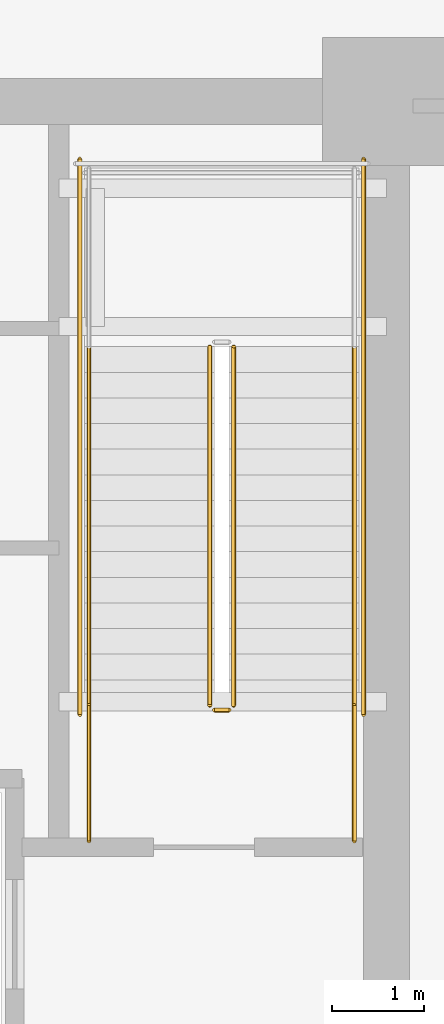
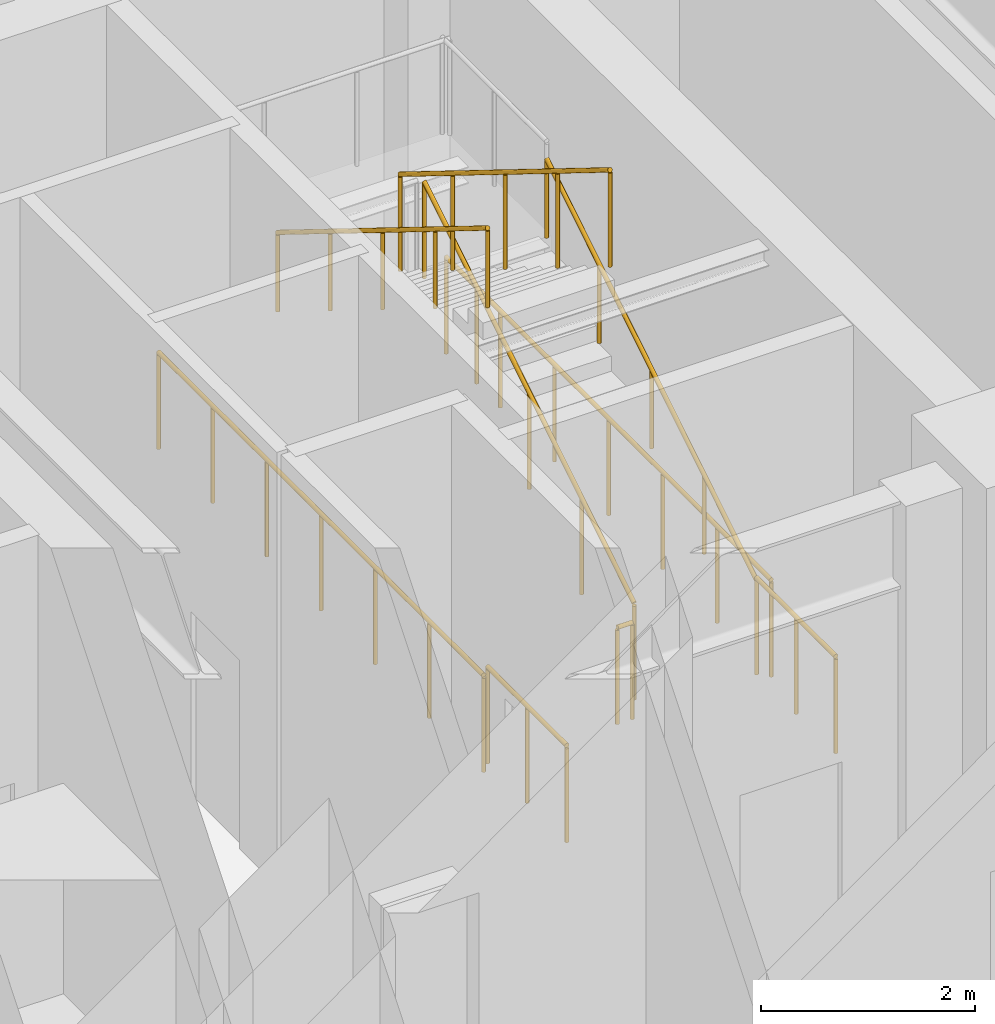
# One storey, part 10 of 15: 9 railings.
"""IFC4 building model written with IfcOpenShell, lengths in metres."""

from ifc_helpers import new_model, si_unit, direction, frame, origin, origin_2d, place, context, subcontext, project, spatial, circle, extrude, material, layer, layer_set, type_object, element, save


model = new_model("IFC4")

# Units and contexts
model_context = context("Model", 3, precision=1e-05, world=origin(), true_north=direction((0.0, 1.0)))
body_context = subcontext(model_context, "Body", "Model", "MODEL_VIEW")
ifc_project = project(units=[si_unit("LENGTHUNIT", "METRE"), si_unit("AREAUNIT", "SQUARE_METRE"), si_unit("VOLUMEUNIT", "CUBIC_METRE"), si_unit("PLANEANGLEUNIT", "RADIAN"), si_unit("MASSUNIT", "GRAM", prefix="KILO")], contexts=[model_context])

# Site, building, storey
site_placement = place(None, origin())
site = spatial("IfcSite", under=ifc_project, at=site_placement, CompositionType="ELEMENT")
building_placement = place(site_placement, origin())
building = spatial("IfcBuilding", under=site, at=building_placement, Name="Yelkora Congress Tower", CompositionType="ELEMENT")
storey_placement = place(building_placement, origin())
storey = spatial("IfcBuildingStorey", under=building, at=storey_placement, Name="L00", CompositionType="ELEMENT", Elevation=0.0)

# Railings
ifc_material_1 = material(Name="Painted galvanised steel stair well guard with vertical infill", Category="steel")
ifc_layer_1 = layer(ifc_material_1, 0.06005859375)
ifc_layer_set_1 = layer_set([ifc_layer_1], Name="Painted galvanised steel stair well guard with vertical infill")
railing_type_1 = type_object("IfcRailingType", Name="RAIL-STAIR-GUARD-1120", PredefinedType="GUARDRAIL", material=ifc_layer_set_1)
railing_1_placement = place(storey_placement, frame((52.090087890625, 39.60009765625, 0.17333984375)))
element("IfcRailing", 1, at=railing_1_placement, inside=storey, type_object=railing_type_1, Name="ST-02 L00 Stair Well Guardrail 1", PredefinedType="GUARDRAIL", context=body_context, shape_type="SweptSolid", body=[
    extrude(circle(Radius=0.02392578125, at=origin_2d()), frame((0.0, 0.0, 1.09619140625), z_axis=(0.0, 0.850251603719, 0.526376491091), x_axis=(-1.0, 0.0, 0.0)), (0.0, 0.0, 1.0), 4.6103515625),
    extrude(circle(Radius=0.02099609375, at=origin_2d()), origin(), (0.0, 0.0, 1.0), 1.072021484375),
    extrude(circle(Radius=0.02099609375, at=origin_2d()), frame((0.0, 0.97998046875, 0.606689453125)), (0.0, 0.0, 1.0), 1.072021484375),
    extrude(circle(Radius=0.02099609375, at=origin_2d()), frame((0.0, 1.9599609375, 1.21337890625)), (0.0, 0.0, 1.0), 1.072021484375),
    extrude(circle(Radius=0.02099609375, at=origin_2d()), frame((0.0, 2.93994140625, 1.820068359375)), (0.0, 0.0, 1.0), 1.072021484375),
    extrude(circle(Radius=0.02099609375, at=origin_2d()), frame((0.0, 3.919921875, 2.4267578125)), (0.0, 0.0, 1.0), 1.072021484375),
])
railing_2_placement = place(storey_placement, frame((51.830078125, 43.52001953125, 2.7734375)))
element("IfcRailing", 2, at=railing_2_placement, inside=storey, type_object=railing_type_1, Name="ST-02 L00 Stair Well Guardrail 6", PredefinedType="GUARDRAIL", context=body_context, shape_type="SweptSolid", body=[
    extrude(circle(Radius=0.02392578125, at=origin_2d()), frame((0.0, 0.0, 1.09619140625), z_axis=(0.0, -0.850275303828, 0.526338206574), x_axis=(1.0, 0.0, 0.0)), (0.0, 0.0, 1.0), 4.610107421875),
    extrude(circle(Radius=0.02099609375, at=origin_2d()), origin(), (0.0, 0.0, 1.0), 1.072021484375),
    extrude(circle(Radius=0.02099609375, at=origin_2d()), frame((0.0, -0.97998046875, 0.606689453125)), (0.0, 0.0, 1.0), 1.072021484375),
    extrude(circle(Radius=0.02099609375, at=origin_2d()), frame((0.0, -1.9599609375, 1.21337890625)), (0.0, 0.0, 1.0), 1.072021484375),
    extrude(circle(Radius=0.02099609375, at=origin_2d()), frame((0.0, -2.93994140625, 1.81982421875)), (0.0, 0.0, 1.0), 1.072021484375),
    extrude(circle(Radius=0.02099609375, at=origin_2d()), frame((0.0, -3.919921875, 2.426513671875)), (0.0, 0.0, 1.0), 1.072021484375),
])
railing_3_placement = place(storey_placement, frame((52.0400390625, 39.550048828125, 0.0)))
element("IfcRailing", 3, at=railing_3_placement, inside=storey, type_object=railing_type_1, Name="ST-02 L00 Stair Well Guardrail 7", PredefinedType="GUARDRAIL", context=body_context, shape_type="SweptSolid", body=[
    extrude(circle(Radius=0.02392578125, at=origin_2d()), frame((0.0, 0.0, 1.09619140625), z_axis=(-1.0, 0.0, 0.0), x_axis=(0.0, -1.0, 0.0)), (0.0, 0.0, 1.0), 0.16015625),
    extrude(circle(Radius=0.02099609375, at=origin_2d()), origin(), (0.0, 0.0, 1.0), 1.072021484375),
    extrude(circle(Radius=0.02099609375, at=origin_2d()), frame((-0.16015625, 0.0, 0.0)), (0.0, 0.0, 1.0), 1.072021484375),
])
for number, where, name in (
    (4, (53.409912109375, 38.1201171875, 0.0), "ST-02 L00 Stair Well Guardrail 8"),
    (5, (50.510009765625, 38.1201171875, 0.0), "ST-02 L00 Stair Well Guardrail 9"),
):
    element("IfcRailing", number, at=place(storey_placement, frame(where)), inside=storey, type_object=railing_type_1, Name=name, PredefinedType="GUARDRAIL", context=body_context, shape_type="SweptSolid", body=[
        extrude(circle(Radius=0.02392578125, at=origin_2d()), frame((0.0, 0.0, 1.09619140625), z_axis=(0.0, 1.0, 0.0), x_axis=(-1.0, 0.0, 0.0)), (0.0, 0.0, 1.0), 1.47998046875),
        extrude(circle(Radius=0.02099609375, at=origin_2d()), origin(), (0.0, 0.0, 1.0), 1.072021484375),
        extrude(circle(Radius=0.02099609375, at=origin_2d()), frame((0.0, 0.739990234375, 0.0)), (0.0, 0.0, 1.0), 1.072021484375),
        extrude(circle(Radius=0.02099609375, at=origin_2d()), frame((0.0, 1.47998046875, 0.0)), (0.0, 0.0, 1.0), 1.072021484375),
    ])
for number, where, name in (
    (6, (53.510009765625, 39.5, 0.0), "ST-02 L00 Stair Well Guardrail 10"),
    (7, (50.409912109375, 39.5, 0.0), "ST-02 L00 Stair Well Guardrail 11"),
):
    element("IfcRailing", number, at=place(storey_placement, frame(where)), inside=storey, type_object=railing_type_1, Name=name, PredefinedType="GUARDRAIL", context=body_context, shape_type="SweptSolid", body=[
        extrude(circle(Radius=0.02392578125, at=origin_2d()), frame((0.0, 0.0, 1.09619140625), z_axis=(0.0, 1.0, 0.0), x_axis=(-1.0, 0.0, 0.0)), (0.0, 0.0, 1.0), 6.070068359375),
        extrude(circle(Radius=0.02099609375, at=origin_2d()), origin(), (0.0, 0.0, 1.0), 1.072021484375),
        extrude(circle(Radius=0.02099609375, at=origin_2d()), frame((0.0, 1.01171875, 0.0)), (0.0, 0.0, 1.0), 1.072021484375),
        extrude(circle(Radius=0.02099609375, at=origin_2d()), frame((0.0, 2.0234375, 0.0)), (0.0, 0.0, 1.0), 1.072021484375),
        extrude(circle(Radius=0.02099609375, at=origin_2d()), frame((0.0, 3.03515625, 0.0)), (0.0, 0.0, 1.0), 1.072021484375),
        extrude(circle(Radius=0.02099609375, at=origin_2d()), frame((0.0, 4.046630859375, 0.0)), (0.0, 0.0, 1.0), 1.072021484375),
        extrude(circle(Radius=0.02099609375, at=origin_2d()), frame((0.0, 5.058349609375, 0.0)), (0.0, 0.0, 1.0), 1.072021484375),
        extrude(circle(Radius=0.02099609375, at=origin_2d()), frame((0.0, 6.070068359375, 0.0)), (0.0, 0.0, 1.0), 1.072021484375),
    ])
ifc_material_2 = material(Name="Brushed stainless steel tubular handrail", Category="steel")
ifc_layer_2 = layer(ifc_material_2, 0.050048828125)
ifc_layer_set_2 = layer_set([ifc_layer_2], Name="Brushed stainless steel tubular handrail")
railing_type_2 = type_object("IfcRailingType", Name="RAIL-STAIR-HAND-920", PredefinedType="HANDRAIL", material=ifc_layer_set_2)
railing_4_placement = place(storey_placement, frame((53.409912109375, 39.60009765625, 0.17333984375)))
element("IfcRailing", 8, at=railing_4_placement, inside=storey, type_object=railing_type_2, Name="ST-02 L00 Pitch Handrail 1", PredefinedType="HANDRAIL", context=body_context, shape_type="SweptSolid", body=[
    extrude(circle(Radius=0.02392578125, at=origin_2d()), frame((0.0, 0.0, 0.89599609375), z_axis=(0.0, 0.850251603719, 0.526376491091), x_axis=(-1.0, 0.0, 0.0)), (0.0, 0.0, 1.0), 4.6103515625),
    extrude(circle(Radius=0.02099609375, at=origin_2d()), origin(), (0.0, 0.0, 1.0), 0.871826171875),
    extrude(circle(Radius=0.02099609375, at=origin_2d()), frame((0.0, 0.97998046875, 0.606689453125)), (0.0, 0.0, 1.0), 0.871826171875),
    extrude(circle(Radius=0.02099609375, at=origin_2d()), frame((0.0, 1.9599609375, 1.21337890625)), (0.0, 0.0, 1.0), 0.871826171875),
    extrude(circle(Radius=0.02099609375, at=origin_2d()), frame((0.0, 2.93994140625, 1.820068359375)), (0.0, 0.0, 1.0), 0.871826171875),
    extrude(circle(Radius=0.02099609375, at=origin_2d()), frame((0.0, 3.919921875, 2.4267578125)), (0.0, 0.0, 1.0), 0.871826171875),
])
railing_5_placement = place(storey_placement, frame((50.510009765625, 43.52001953125, 2.7734375)))
element("IfcRailing", 9, at=railing_5_placement, inside=storey, type_object=railing_type_2, Name="ST-02 L00 Pitch Handrail 2", PredefinedType="HANDRAIL", context=body_context, shape_type="SweptSolid", body=[
    extrude(circle(Radius=0.02392578125, at=origin_2d()), frame((0.0, 0.0, 0.89599609375), z_axis=(0.0, -0.850275303828, 0.526338206574), x_axis=(1.0, 0.0, 0.0)), (0.0, 0.0, 1.0), 4.610107421875),
    extrude(circle(Radius=0.02099609375, at=origin_2d()), origin(), (0.0, 0.0, 1.0), 0.871826171875),
    extrude(circle(Radius=0.02099609375, at=origin_2d()), frame((0.0, -0.97998046875, 0.606689453125)), (0.0, 0.0, 1.0), 0.871826171875),
    extrude(circle(Radius=0.02099609375, at=origin_2d()), frame((0.0, -1.9599609375, 1.21337890625)), (0.0, 0.0, 1.0), 0.871826171875),
    extrude(circle(Radius=0.02099609375, at=origin_2d()), frame((0.0, -2.93994140625, 1.81982421875)), (0.0, 0.0, 1.0), 0.871826171875),
    extrude(circle(Radius=0.02099609375, at=origin_2d()), frame((0.0, -3.919921875, 2.426513671875)), (0.0, 0.0, 1.0), 0.871826171875),
])

save(model, "model.ifc")
